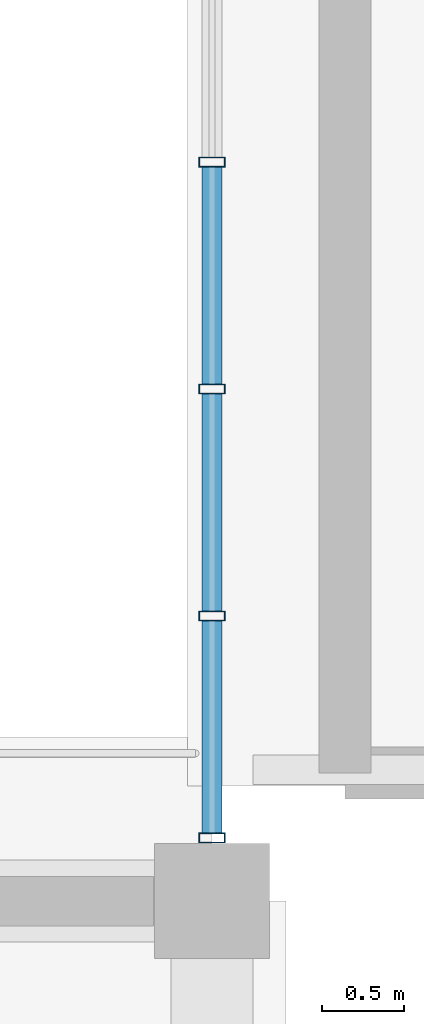
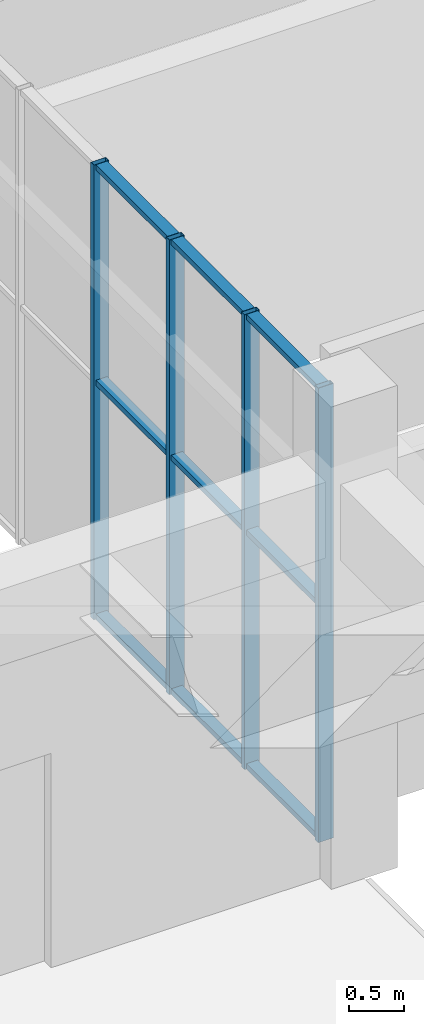
# One storey, part 22 of 91: 13 members, 1 element without a shape of its own.
"""IFC4 building model written with IfcOpenShell, lengths in metres."""

from ifc_helpers import new_model, si_unit, direction, frame, origin, origin_2d, place, context, subcontext, project, spatial, hollow_rectangle, extrude, material, material_profile, profile_set, type_object, element, aggregate, save


model = new_model("IFC4")

# Units and contexts
model_context = context("Model", 3, precision=1e-05, world=origin(), true_north=direction((0.0, 1.0)))
body_context = subcontext(model_context, "Body", "Model", "MODEL_VIEW")
ifc_project = project(units=[si_unit("LENGTHUNIT", "METRE"), si_unit("AREAUNIT", "SQUARE_METRE"), si_unit("VOLUMEUNIT", "CUBIC_METRE"), si_unit("PLANEANGLEUNIT", "RADIAN"), si_unit("MASSUNIT", "GRAM", prefix="KILO")], contexts=[model_context])

# Site, building, storey
site_placement = place(None, origin())
site = spatial("IfcSite", under=ifc_project, at=site_placement, CompositionType="ELEMENT")
building_placement = place(site_placement, origin())
building = spatial("IfcBuilding", under=site, at=building_placement, Name="Khurvash Pelagic Aquarium", CompositionType="ELEMENT")
storey_placement = place(building_placement, origin())
storey = spatial("IfcBuildingStorey", under=building, at=storey_placement, Name="L00", CompositionType="ELEMENT", Elevation=0.0)

# Curtain wall, members
ifc_material_1 = material(Name="Anodised aluminium and low-E laminated glass", Category="aluminium")
curtain_wall_type = type_object("IfcCurtainWallType", Name="CW-05", PredefinedType="USERDEFINED", material=ifc_material_1)
curtain_wall_placement = place(storey_placement, origin())
curtain_wall = element("IfcCurtainWall", 1, at=curtain_wall_placement, inside=storey, type_object=curtain_wall_type, Name="L00 Facade Unitised Curtain Wall CW-05 0059", ObjectType="UNITISED CURTAIN WALL", PredefinedType="USERDEFINED")
ifc_material_2 = material(Name="Extruded aluminium AW-6063-T6", Category="aluminium")
ifc_material_profile_1 = material_profile(ifc_material_2, hollow_rectangle(XDim=0.06005859375, YDim=0.159912109375, WallThickness=0.00390625, at=origin_2d()), Name="CWM60X160X4")
ifc_profile_set_1 = profile_set([ifc_material_profile_1], Name="Extruded aluminium AW-6063-T6")
member_type_1 = type_object("IfcMemberType", Name="CM-02", PredefinedType="MULLION", material=ifc_profile_set_1)
member_1_placement = place(storey_placement, frame((109.199951171875, 2.985107421875, 0.0), z_axis=(0.0, 0.0, 1.0), x_axis=(0.0, 1.0, 0.0)))
member_1 = element("IfcMember", 2, at=member_1_placement, type_object=member_type_1, Name="CW-05 mullion 1", PredefinedType="MULLION", context=body_context, shape_type="SweptSolid", body=[
    extrude(hollow_rectangle(XDim=0.06005859375, YDim=0.159912109375, WallThickness=0.00390625, at=origin_2d()), origin(), (0.0, 0.0, 1.0), 5.090087890625),
])
member_2_placement = place(storey_placement, frame((109.199951171875, 4.336669921875, 0.0), z_axis=(0.0, 0.0, 1.0), x_axis=(0.0, 1.0, 0.0)))
member_2 = element("IfcMember", 3, at=member_2_placement, type_object=member_type_1, Name="CW-05 mullion 2", PredefinedType="MULLION", context=body_context, shape_type="SweptSolid", body=[
    extrude(hollow_rectangle(XDim=0.06005859375, YDim=0.159912109375, WallThickness=0.00390625, at=origin_2d()), origin(), (0.0, 0.0, 1.0), 5.090087890625),
])
member_3_placement = place(storey_placement, frame((109.199951171875, 5.71826171875, 0.0), z_axis=(0.0, 0.0, 1.0), x_axis=(0.0, 1.0, 0.0)))
member_3 = element("IfcMember", 4, at=member_3_placement, type_object=member_type_1, Name="CW-05 mullion 3", PredefinedType="MULLION", context=body_context, shape_type="SweptSolid", body=[
    extrude(hollow_rectangle(XDim=0.06005859375, YDim=0.159912109375, WallThickness=0.00390625, at=origin_2d()), origin(), (0.0, 0.0, 1.0), 5.090087890625),
])
member_4_placement = place(storey_placement, frame((109.199951171875, 7.10009765625, 0.0), z_axis=(0.0, 0.0, 1.0), x_axis=(0.0, 1.0, 0.0)))
member_4 = element("IfcMember", 5, at=member_4_placement, type_object=member_type_1, Name="CW-05 mullion 4", PredefinedType="MULLION", context=body_context, shape_type="SweptSolid", body=[
    extrude(hollow_rectangle(XDim=0.06005859375, YDim=0.159912109375, WallThickness=0.00390625, at=origin_2d()), origin(), (0.0, 0.0, 1.0), 5.090087890625),
])
ifc_material_profile_2 = material_profile(ifc_material_2, hollow_rectangle(XDim=0.1201171875, YDim=0.06005859375, WallThickness=0.00390625, at=origin_2d()), Name="CWT120X60X4")
ifc_profile_set_2 = profile_set([ifc_material_profile_2], Name="Extruded aluminium AW-6063-T6")
member_type_2 = type_object("IfcMemberType", Name="CT-02", PredefinedType="USERDEFINED", material=ifc_profile_set_2)
member_5_placement = place(storey_placement, frame((109.199951171875, 3.014892578125, 0.030029296875), z_axis=(0.0, 1.0, 0.0), x_axis=(-1.0, 0.0, 0.0)))
member_5 = element("IfcMember", 6, at=member_5_placement, type_object=member_type_2, Name="CW-05 transom 1.1", ObjectType="TRANSOM", PredefinedType="USERDEFINED", context=body_context, shape_type="SweptSolid", body=[
    extrude(hollow_rectangle(XDim=0.1201171875, YDim=0.06005859375, WallThickness=0.00390625, at=origin_2d()), origin(), (0.0, 0.0, 1.0), 1.291748046875),
])
member_6_placement = place(storey_placement, frame((109.199951171875, 3.014892578125, 2.64697265625), z_axis=(0.0, 1.0, 0.0), x_axis=(-1.0, 0.0, 0.0)))
member_6 = element("IfcMember", 7, at=member_6_placement, type_object=member_type_2, Name="CW-05 transom 1.2", ObjectType="TRANSOM", PredefinedType="USERDEFINED", context=body_context, shape_type="SweptSolid", body=[
    extrude(hollow_rectangle(XDim=0.1201171875, YDim=0.06005859375, WallThickness=0.00390625, at=origin_2d()), origin(), (0.0, 0.0, 1.0), 1.291748046875),
])
member_7_placement = place(storey_placement, frame((109.199951171875, 3.014892578125, 5.06005859375), z_axis=(0.0, 1.0, 0.0), x_axis=(-1.0, 0.0, 0.0)))
member_7 = element("IfcMember", 8, at=member_7_placement, type_object=member_type_2, Name="CW-05 transom 1.3", ObjectType="TRANSOM", PredefinedType="USERDEFINED", context=body_context, shape_type="SweptSolid", body=[
    extrude(hollow_rectangle(XDim=0.1201171875, YDim=0.06005859375, WallThickness=0.00390625, at=origin_2d()), origin(), (0.0, 0.0, 1.0), 1.291748046875),
])
member_8_placement = place(storey_placement, frame((109.199951171875, 4.36669921875, 0.030029296875), z_axis=(0.0, 1.0, 0.0), x_axis=(-1.0, 0.0, 0.0)))
member_8 = element("IfcMember", 9, at=member_8_placement, type_object=member_type_2, Name="CW-05 transom 2.1", ObjectType="TRANSOM", PredefinedType="USERDEFINED", context=body_context, shape_type="SweptSolid", body=[
    extrude(hollow_rectangle(XDim=0.1201171875, YDim=0.06005859375, WallThickness=0.00390625, at=origin_2d()), origin(), (0.0, 0.0, 1.0), 1.321533203125),
])
member_9_placement = place(storey_placement, frame((109.199951171875, 4.36669921875, 2.64697265625), z_axis=(0.0, 1.0, 0.0), x_axis=(-1.0, 0.0, 0.0)))
member_9 = element("IfcMember", 10, at=member_9_placement, type_object=member_type_2, Name="CW-05 transom 2.2", ObjectType="TRANSOM", PredefinedType="USERDEFINED", context=body_context, shape_type="SweptSolid", body=[
    extrude(hollow_rectangle(XDim=0.1201171875, YDim=0.06005859375, WallThickness=0.00390625, at=origin_2d()), origin(), (0.0, 0.0, 1.0), 1.321533203125),
])
member_10_placement = place(storey_placement, frame((109.199951171875, 4.36669921875, 5.06005859375), z_axis=(0.0, 1.0, 0.0), x_axis=(-1.0, 0.0, 0.0)))
member_10 = element("IfcMember", 11, at=member_10_placement, type_object=member_type_2, Name="CW-05 transom 2.3", ObjectType="TRANSOM", PredefinedType="USERDEFINED", context=body_context, shape_type="SweptSolid", body=[
    extrude(hollow_rectangle(XDim=0.1201171875, YDim=0.06005859375, WallThickness=0.00390625, at=origin_2d()), origin(), (0.0, 0.0, 1.0), 1.321533203125),
])
member_11_placement = place(storey_placement, frame((109.199951171875, 5.748291015625, 0.030029296875), z_axis=(0.0, 1.0, 0.0), x_axis=(-1.0, 0.0, 0.0)))
member_11 = element("IfcMember", 12, at=member_11_placement, type_object=member_type_2, Name="CW-05 transom 3.1", ObjectType="TRANSOM", PredefinedType="USERDEFINED", context=body_context, shape_type="SweptSolid", body=[
    extrude(hollow_rectangle(XDim=0.1201171875, YDim=0.06005859375, WallThickness=0.00390625, at=origin_2d()), origin(), (0.0, 0.0, 1.0), 1.32177734375),
])
member_12_placement = place(storey_placement, frame((109.199951171875, 5.748291015625, 2.64697265625), z_axis=(0.0, 1.0, 0.0), x_axis=(-1.0, 0.0, 0.0)))
member_12 = element("IfcMember", 13, at=member_12_placement, type_object=member_type_2, Name="CW-05 transom 3.2", ObjectType="TRANSOM", PredefinedType="USERDEFINED", context=body_context, shape_type="SweptSolid", body=[
    extrude(hollow_rectangle(XDim=0.1201171875, YDim=0.06005859375, WallThickness=0.00390625, at=origin_2d()), origin(), (0.0, 0.0, 1.0), 1.32177734375),
])
member_13_placement = place(storey_placement, frame((109.199951171875, 5.748291015625, 5.06005859375), z_axis=(0.0, 1.0, 0.0), x_axis=(-1.0, 0.0, 0.0)))
member_13 = element("IfcMember", 14, at=member_13_placement, type_object=member_type_2, Name="CW-05 transom 3.3", ObjectType="TRANSOM", PredefinedType="USERDEFINED", context=body_context, shape_type="SweptSolid", body=[
    extrude(hollow_rectangle(XDim=0.1201171875, YDim=0.06005859375, WallThickness=0.00390625, at=origin_2d()), origin(), (0.0, 0.0, 1.0), 1.32177734375),
])
aggregate(curtain_wall, [member_1, member_2, member_3, member_4, member_5, member_6, member_7, member_8, member_9, member_10, member_11, member_12, member_13])

save(model, "model.ifc")
